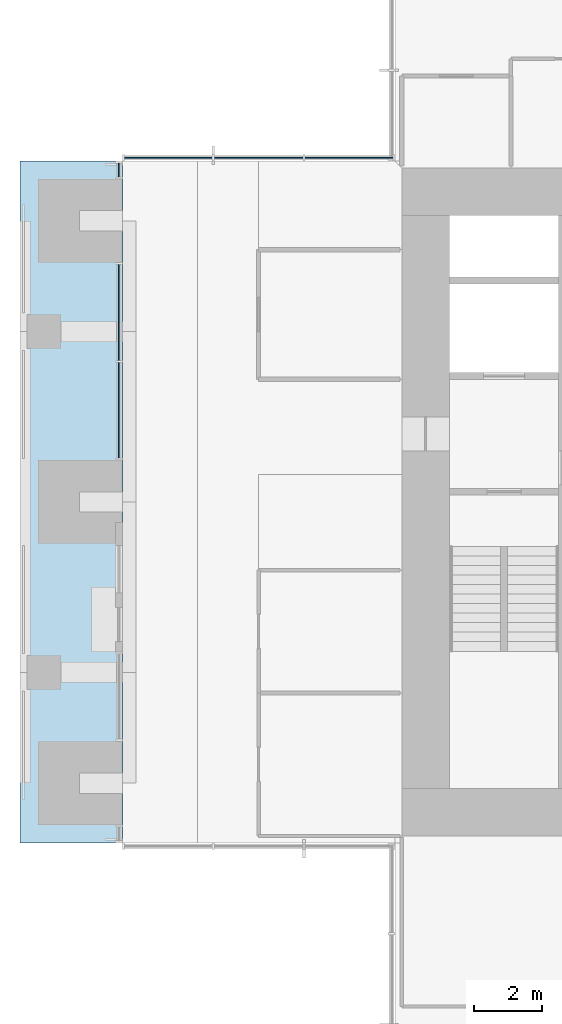
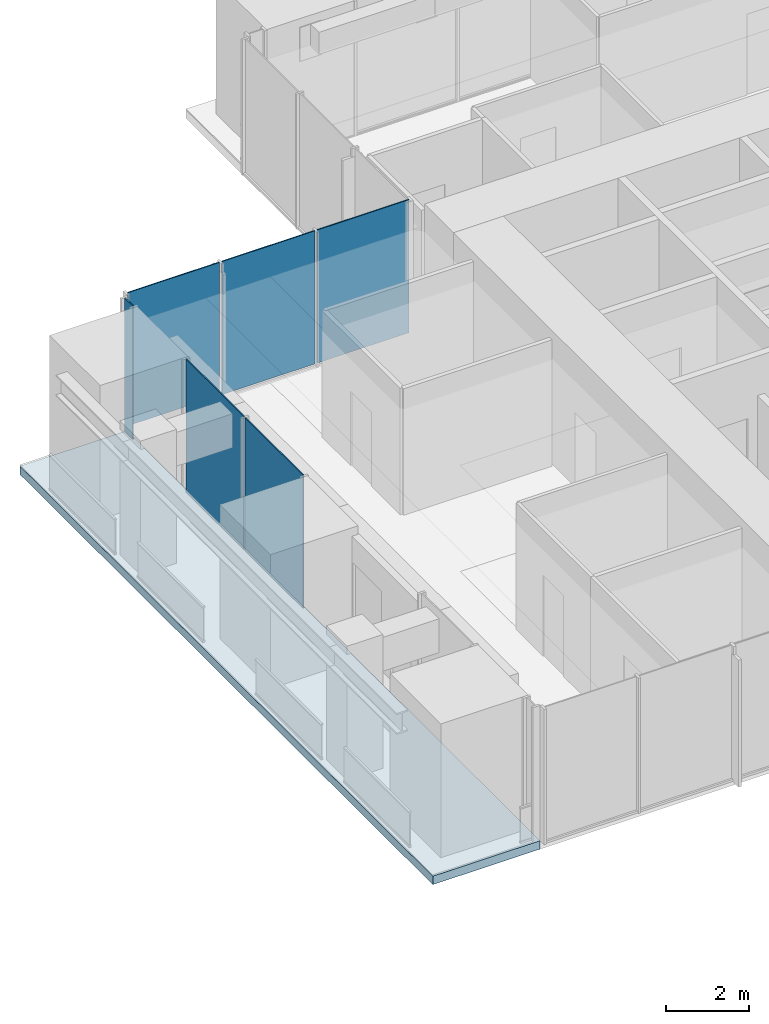
# One storey, part 8 of 17: 6 plates, 1 slab, 3 elements without a shape of their own.
"""IFC4 building model written with IfcOpenShell, lengths in metres."""

from ifc_helpers import new_model, si_unit, direction, frame, origin, origin_2d, place, context, subcontext, project, spatial, polyline, rectangle, outline, extrude, material, layer, layer_set, type_object, element, aggregate, save


model = new_model("IFC4")

# Units and contexts
model_context = context("Model", 3, precision=1e-05, world=origin(), true_north=direction((0.0, 1.0)))
body_context = subcontext(model_context, "Body", "Model", "MODEL_VIEW")
ifc_project = project(units=[si_unit("LENGTHUNIT", "METRE"), si_unit("AREAUNIT", "SQUARE_METRE"), si_unit("VOLUMEUNIT", "CUBIC_METRE"), si_unit("PLANEANGLEUNIT", "RADIAN"), si_unit("MASSUNIT", "GRAM", prefix="KILO")], contexts=[model_context])

# Site, building, storey
site_placement = place(None, origin())
site = spatial("IfcSite", under=ifc_project, at=site_placement, CompositionType="ELEMENT")
building_placement = place(site_placement, origin())
building = spatial("IfcBuilding", under=site, at=building_placement, Name="Svetlomir Tower", CompositionType="ELEMENT")
storey_placement = place(building_placement, frame((0.0, 0.0, 186.5)))
storey = spatial("IfcBuildingStorey", under=building, at=storey_placement, Name="L44", CompositionType="ELEMENT", Elevation=186.5)

# Curtain wall, plates
ifc_material_1 = material(Name="Bronze anodised aluminium curtain wall", Category="aluminium")
curtain_wall_type = type_object("IfcCurtainWallType", Name="CURTAIN WALL CW1 TOWER OFFICE", PredefinedType="NOTDEFINED", material=ifc_material_1)
curtain_wall_1_placement = place(storey_placement, origin())
curtain_wall_1 = element("IfcCurtainWall", 1, at=curtain_wall_1_placement, inside=storey, type_object=curtain_wall_type, Name="Curtain wall CW1 L44", PredefinedType="NOTDEFINED")
ifc_material_2 = material(Name="Tinted double glazed unit", Category="glass")
ifc_layer_1 = layer(ifc_material_2, 0.031982421875)
ifc_layer_set_1 = layer_set([ifc_layer_1], Name="Tinted double glazed unit")
plate_type = type_object("IfcPlateType", Name="CW1 GLAZED PANEL 32", PredefinedType="CURTAIN_PANEL", material=ifc_layer_set_1)
plate_1_placement = place(storey_placement, frame((9.650390625, 31.10009765625, 0.06494140625), z_axis=(0.0, 0.0, 1.0), x_axis=(-1.0, 0.0, 0.0)))
plate_1 = element("IfcPlate", 2, at=plate_1_placement, type_object=plate_type, Name="CW1 panel 1.1", PredefinedType="CURTAIN_PANEL", context=body_context, shape_type="SweptSolid", body=[
    extrude(rectangle(XDim=2.569091796875, YDim=0.031982421875, at=origin_2d()), origin(), (0.0, 0.0, 1.0), 3.93505859375),
])
plate_2_placement = place(storey_placement, frame((7.0, 31.10009765625, 0.06494140625), z_axis=(0.0, 0.0, 1.0), x_axis=(-1.0, 0.0, 0.0)))
plate_2 = element("IfcPlate", 3, at=plate_2_placement, type_object=plate_type, Name="CW1 panel 2.1", PredefinedType="CURTAIN_PANEL", context=body_context, shape_type="SweptSolid", body=[
    extrude(rectangle(XDim=2.6015625, YDim=0.031982421875, at=origin_2d()), origin(), (0.0, 0.0, 1.0), 3.93505859375),
])
plate_3_placement = place(storey_placement, frame((4.349609375, 31.10009765625, 0.06494140625), z_axis=(0.0, 0.0, 1.0), x_axis=(-1.0, 0.0, 0.0)))
plate_3 = element("IfcPlate", 4, at=plate_3_placement, type_object=plate_type, Name="CW1 panel 3.1", PredefinedType="CURTAIN_PANEL", context=body_context, shape_type="SweptSolid", body=[
    extrude(rectangle(XDim=2.569091796875, YDim=0.031982421875, at=origin_2d()), origin(), (0.0, 0.0, 1.0), 3.93505859375),
])
aggregate(curtain_wall_1, [plate_1, plate_2, plate_3])

# Curtain wall, plate
curtain_wall_2_placement = place(storey_placement, origin())
curtain_wall_2 = element("IfcCurtainWall", 5, at=curtain_wall_2_placement, inside=storey, type_object=curtain_wall_type, Name="Curtain wall CW1 L44", PredefinedType="NOTDEFINED")
plate_4_placement = place(storey_placement, frame((2.89990234375, 30.737548828125, 0.06494140625), z_axis=(0.0, 0.0, 1.0), x_axis=(0.0, -1.0, 0.0)))
plate_4 = element("IfcPlate", 6, at=plate_4_placement, type_object=plate_type, Name="CW1 panel 1.1", PredefinedType="CURTAIN_PANEL", context=body_context, shape_type="SweptSolid", body=[
    extrude(rectangle(XDim=0.39501953125, YDim=0.031982421875, at=origin_2d()), origin(), (0.0, 0.0, 1.0), 3.93505859375),
])
aggregate(curtain_wall_2, [plate_4])

# Curtain wall, plates
curtain_wall_3_placement = place(storey_placement, origin())
curtain_wall_3 = element("IfcCurtainWall", 7, at=curtain_wall_3_placement, inside=storey, type_object=curtain_wall_type, Name="Curtain wall CW1 L44", PredefinedType="NOTDEFINED")
plate_5_placement = place(storey_placement, frame((2.89990234375, 26.558837890625, 0.06494140625), z_axis=(0.0, 0.0, 1.0), x_axis=(0.0, -1.0, 0.0)))
plate_5 = element("IfcPlate", 8, at=plate_5_placement, type_object=plate_type, Name="CW1 panel 1.1", PredefinedType="CURTAIN_PANEL", context=body_context, shape_type="SweptSolid", body=[
    extrude(rectangle(XDim=2.802490234375, YDim=0.031982421875, at=origin_2d()), origin(), (0.0, 0.0, 1.0), 3.93505859375),
])
plate_6_placement = place(storey_placement, frame((2.89990234375, 23.691162109375, 0.06494140625), z_axis=(0.0, 0.0, 1.0), x_axis=(0.0, -1.0, 0.0)))
plate_6 = element("IfcPlate", 9, at=plate_6_placement, type_object=plate_type, Name="CW1 panel 2.1", PredefinedType="CURTAIN_PANEL", context=body_context, shape_type="SweptSolid", body=[
    extrude(rectangle(XDim=2.802490234375, YDim=0.031982421875, at=origin_2d()), origin(), (0.0, 0.0, 1.0), 3.93505859375),
])
aggregate(curtain_wall_3, [plate_5, plate_6])

# Slab
ifc_material_3 = material(Name="Concrete C60/75", Category="concrete")
ifc_layer_2 = layer(ifc_material_3, 0.25)
ifc_layer_set_2 = layer_set([ifc_layer_2], Name="Concrete C60/75")
slab_type = type_object("IfcSlabType", Name="PLANTED LOGGIA SLAB 250", PredefinedType="FLOOR", material=ifc_layer_set_2)
slab_placement = place(storey_placement, frame((0.0, 0.0, -0.25)))
element("IfcSlab", 10, at=slab_placement, inside=storey, type_object=slab_type, Name="L44 W planted loggia", PredefinedType="FLOOR", context=body_context, shape_type="SweptSolid", body=[
    extrude(outline(polyline([(0.0, 11.0), (3.0, 11.0), (3.0, 31.0), (0.0, 31.0), (0.0, 11.0)])), origin(), (0.0, 0.0, 1.0), 0.25),
])

save(model, "model.ifc")
